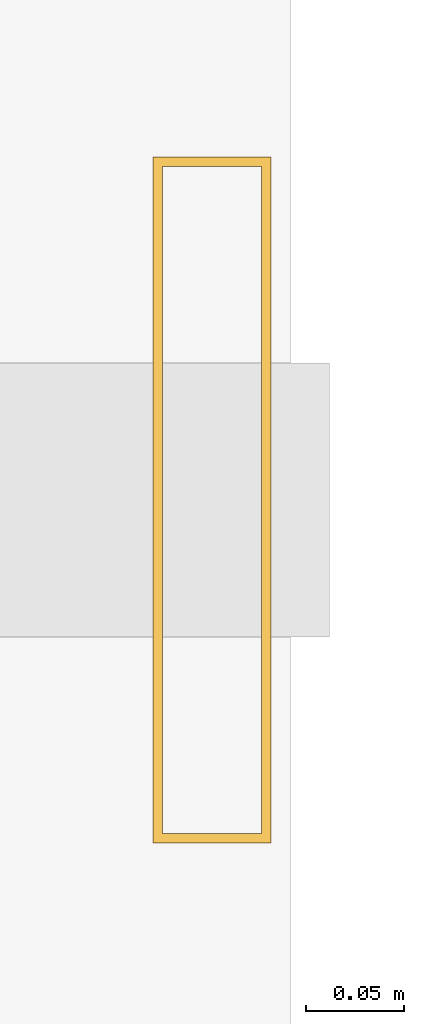
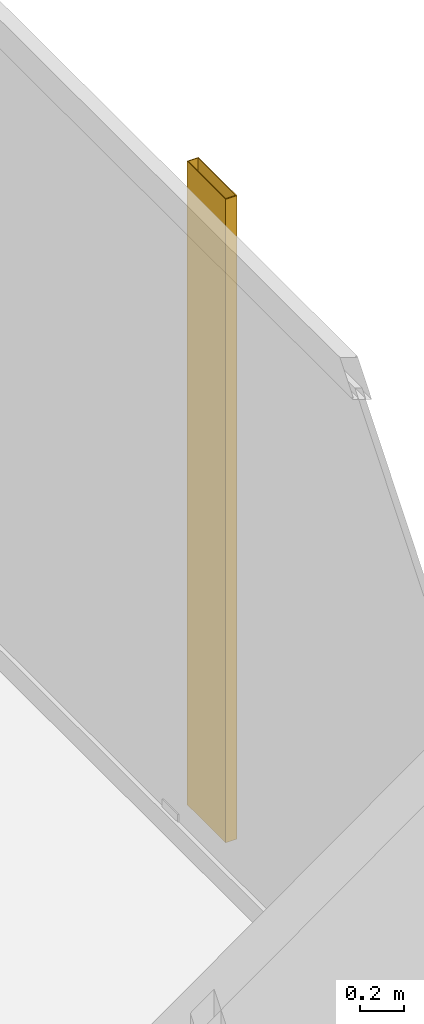
# One storey, part 26 of 26: 1 shading device.
"""IFC4 building model written with IfcOpenShell, lengths in metres."""

from ifc_helpers import new_model, si_unit, direction, frame, origin, origin_2d, place, context, subcontext, project, spatial, hollow_rectangle, extrude, material, material_profile, profile_set, type_object, element, save


model = new_model("IFC4")

# Units and contexts
model_context = context("Model", 3, precision=1e-05, world=origin(), true_north=direction((0.0, 1.0)))
body_context = subcontext(model_context, "Body", "Model", "MODEL_VIEW")
ifc_project = project(units=[si_unit("LENGTHUNIT", "METRE"), si_unit("AREAUNIT", "SQUARE_METRE"), si_unit("VOLUMEUNIT", "CUBIC_METRE"), si_unit("PLANEANGLEUNIT", "RADIAN"), si_unit("MASSUNIT", "GRAM", prefix="KILO")], contexts=[model_context])

# Site, building, storey
site_placement = place(None, origin())
site = spatial("IfcSite", under=ifc_project, at=site_placement, CompositionType="ELEMENT")
building_placement = place(site_placement, origin())
building = spatial("IfcBuilding", under=site, at=building_placement, Name="Kolvaren Waterfront Exchange", CompositionType="ELEMENT")
storey_placement = place(building_placement, frame((0.0, 0.0, 180.39990234375)))
storey = spatial("IfcBuildingStorey", under=building, at=storey_placement, Name="L46", CompositionType="ELEMENT", Elevation=180.39990234375)

# Shading device
ifc_material = material(Name="Anodised bronze aluminium 6063-T6", Category="aluminium")
ifc_material_profile = material_profile(ifc_material, hollow_rectangle(XDim=0.06005859375, YDim=0.35009765625, WallThickness=0.0048828125, at=origin_2d()), Name="BRZ-FIN-350x60x5")
ifc_profile_set = profile_set([ifc_material_profile], Name="Anodised bronze aluminium 6063-T6")
shading_device_type = type_object("IfcShadingDeviceType", Name="ARC-FIN-350", PredefinedType="USERDEFINED", material=ifc_profile_set)
shading_device_placement = place(storey_placement, frame((22.56005859375, 38.39990234375, 0.0), z_axis=(0.0, 0.0, 1.0), x_axis=(1.0, 0.0, 0.0)))
element("IfcShadingDevice", 1, at=shading_device_placement, inside=storey, type_object=shading_device_type, Name="L46 anodised bronze solar shading fin FIN-L46-E3", ObjectType="SOLAR FIN", PredefinedType="USERDEFINED", context=body_context, shape_type="SweptSolid", body=[
    extrude(hollow_rectangle(XDim=0.06005859375, YDim=0.35009765625, WallThickness=0.0048828125, at=origin_2d()), origin(), (0.0, 0.0, 1.0), 3.56005859375),
])

save(model, "model.ifc")
